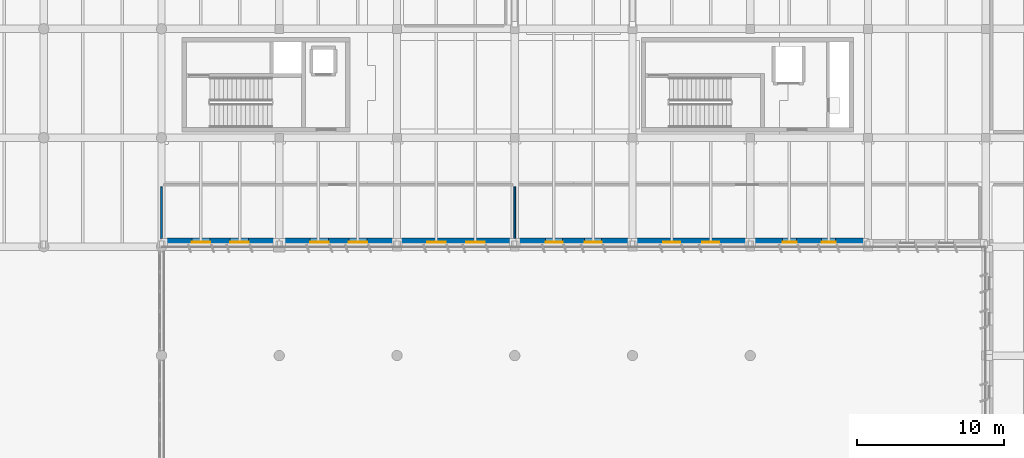
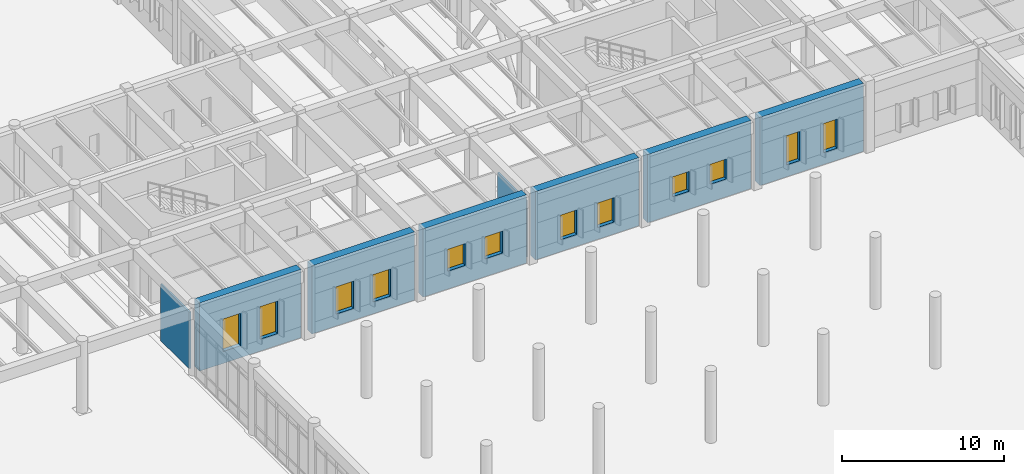
# One storey, part 20 of 56: 12 windows, 8 walls, 12 openings.
"""IFC4 building model written with IfcOpenShell, lengths in metres."""

from ifc_helpers import new_model, si_unit, direction, frame, frame_2d, origin, place, context, subcontext, project, spatial, rectangle, extrude, material, layer, layer_set, type_object, element, fill, save


model = new_model("IFC4")

# Units and contexts
model_context = context("Model", 3, precision=1e-05, world=origin(), true_north=direction((0.0, 1.0)))
body_context = subcontext(model_context, "Body", "Model", "MODEL_VIEW")
ifc_project = project(units=[si_unit("LENGTHUNIT", "METRE"), si_unit("AREAUNIT", "SQUARE_METRE"), si_unit("VOLUMEUNIT", "CUBIC_METRE"), si_unit("PLANEANGLEUNIT", "RADIAN"), si_unit("MASSUNIT", "GRAM", prefix="KILO")], contexts=[model_context])

# Site, building, storey
site_placement = place(None, origin())
site = spatial("IfcSite", under=ifc_project, at=site_placement, CompositionType="ELEMENT")
building_placement = place(site_placement, origin())
building = spatial("IfcBuilding", under=site, at=building_placement, Name="Valkorina Park Police Headquarters", CompositionType="ELEMENT")
storey_placement = place(building_placement, origin())
storey = spatial("IfcBuildingStorey", under=building, at=storey_placement, Name="L01", CompositionType="ELEMENT", Elevation=0.0)

# Wall, openings, windows
ifc_material_1 = material(Name="Concrete C35/45", Category="concrete")
ifc_layer_1 = layer(ifc_material_1, 0.580078125)
ifc_layer_set_1 = layer_set([ifc_layer_1], Name="Concrete C35/45")
wall_type_1 = type_object("IfcWallType", Name="WL-EXT-BOARD-580", PredefinedType="STANDARD", material=ifc_layer_set_1)
wall_1_placement = place(storey_placement, frame((128.489990234375, 59.489990234375, 0.0), z_axis=(0.0, 0.0, 1.0), x_axis=(-1.0, 0.0, 0.0)))
wall_1 = element("IfcWall", 1, at=wall_1_placement, inside=storey, type_object=wall_type_1, Name="L01 Architectural Concrete Exterior Wall 0077", PredefinedType="STANDARD", context=body_context, shape_type="SweptSolid", body=[
    extrude(rectangle(XDim=7.3798828125, YDim=0.580078125, at=frame_2d((3.68994140625, 0.0))), origin(), (0.0, 0.0, 1.0), 5.139892578125),
])
opening_1_placement = place(wall_1_placement, frame((1.88671875, 0.0, 0.89990234375)))
opening_1 = element("IfcOpeningElement", 2, at=opening_1_placement, cuts=wall_1, Name="Opening WN-18", PredefinedType="OPENING", context=body_context, shape_type="SweptSolid", body=[
    extrude(rectangle(XDim=0.949951171875, YDim=2.199951171875, at=frame_2d((0.47509765625, 1.10009765625))), frame((0.0, 0.300048828125, 0.0), z_axis=(0.0, -1.0, 0.0), x_axis=(1.0, 0.0, 0.0)), (0.0, 0.0, 1.0), 0.60009765625),
])
opening_2_placement = place(wall_1_placement, frame((4.54345703125, 0.0, 0.89990234375)))
opening_2 = element("IfcOpeningElement", 3, at=opening_2_placement, cuts=wall_1, Name="Opening WN-18", PredefinedType="OPENING", context=body_context, shape_type="SweptSolid", body=[
    extrude(rectangle(XDim=0.949951171875, YDim=2.199951171875, at=frame_2d((0.47509765625, 1.10009765625))), frame((0.0, 0.300048828125, 0.0), z_axis=(0.0, -1.0, 0.0), x_axis=(1.0, 0.0, 0.0)), (0.0, 0.0, 1.0), 0.60009765625),
])
ifc_material_2 = material(Name="Triple low-E insulated glazing", Category="glass")
ifc_layer_2 = layer(ifc_material_2, 0.06005859375)
ifc_layer_set_2 = layer_set([ifc_layer_2], Name="Triple low-E insulated glazing")
window_type_1 = type_object("IfcWindowType", Name="WN-SLOT-950x2200", PartitioningType="SINGLE_PANEL", PredefinedType="WINDOW", material=ifc_layer_set_2)
window_1_placement = place(opening_1_placement, origin())
window_1 = element("IfcWindow", 4, at=window_1_placement, inside=storey, type_object=window_type_1, Name="Window L01-0121", OverallHeight=2.199951171875, OverallWidth=0.949951171875, PartitioningType="SINGLE_PANEL", PredefinedType="WINDOW", context=body_context, shape_type="SweptSolid", body=[
    extrude(rectangle(XDim=0.949951171875, YDim=2.199951171875, at=frame_2d((0.47509765625, 1.10009765625))), frame((0.0, 0.030029296875, 0.0), z_axis=(0.0, -1.0, 0.0), x_axis=(1.0, 0.0, 0.0)), (0.0, 0.0, 1.0), 0.06005859375),
])
fill(opening_1, window_1)
window_2_placement = place(opening_2_placement, origin())
window_2 = element("IfcWindow", 5, at=window_2_placement, inside=storey, type_object=window_type_1, Name="Window L01-0122", OverallHeight=2.199951171875, OverallWidth=0.949951171875, PartitioningType="SINGLE_PANEL", PredefinedType="WINDOW", context=body_context, shape_type="SweptSolid", body=[
    extrude(rectangle(XDim=0.949951171875, YDim=2.199951171875, at=frame_2d((0.47509765625, 1.10009765625))), frame((0.0, 0.030029296875, 0.0), z_axis=(0.0, -1.0, 0.0), x_axis=(1.0, 0.0, 0.0)), (0.0, 0.0, 1.0), 0.06005859375),
])
fill(opening_2, window_2)

wall_2_placement = place(storey_placement, frame((120.489990234375, 59.489990234375, 0.0), z_axis=(0.0, 0.0, 1.0), x_axis=(-1.0, 0.0, 0.0)))
wall_2 = element("IfcWall", 6, at=wall_2_placement, inside=storey, type_object=wall_type_1, Name="L01 Architectural Concrete Exterior Wall 0078", PredefinedType="STANDARD", context=body_context, shape_type="SweptSolid", body=[
    extrude(rectangle(XDim=7.3798828125, YDim=0.580078125, at=frame_2d((3.68994140625, 0.0))), origin(), (0.0, 0.0, 1.0), 5.139892578125),
])
opening_3_placement = place(wall_2_placement, frame((1.78662109375, 0.0, 1.35009765625)))
opening_3 = element("IfcOpeningElement", 7, at=opening_3_placement, cuts=wall_2, Name="Opening WN-19", PredefinedType="OPENING", context=body_context, shape_type="SweptSolid", body=[
    extrude(rectangle(XDim=1.14990234375, YDim=1.5, at=frame_2d((0.574951171875, 0.75))), frame((0.0, 0.300048828125, 0.0), z_axis=(0.0, -1.0, 0.0), x_axis=(1.0, 0.0, 0.0)), (0.0, 0.0, 1.0), 0.60009765625),
])
opening_4_placement = place(wall_2_placement, frame((4.443359375, 0.0, 1.35009765625)))
opening_4 = element("IfcOpeningElement", 8, at=opening_4_placement, cuts=wall_2, Name="Opening WN-19", PredefinedType="OPENING", context=body_context, shape_type="SweptSolid", body=[
    extrude(rectangle(XDim=1.14990234375, YDim=1.5, at=frame_2d((0.574951171875, 0.75))), frame((0.0, 0.300048828125, 0.0), z_axis=(0.0, -1.0, 0.0), x_axis=(1.0, 0.0, 0.0)), (0.0, 0.0, 1.0), 0.60009765625),
])
ifc_layer_3 = layer(ifc_material_2, 0.06005859375)
ifc_layer_set_3 = layer_set([ifc_layer_3], Name="Triple low-E insulated glazing")
window_type_2 = type_object("IfcWindowType", Name="WN-LAB-1150x1500", PartitioningType="SINGLE_PANEL", PredefinedType="WINDOW", material=ifc_layer_set_3)
window_3_placement = place(opening_3_placement, origin())
window_3 = element("IfcWindow", 9, at=window_3_placement, inside=storey, type_object=window_type_2, Name="Window L01-0123", OverallHeight=1.5, OverallWidth=1.14990234375, PartitioningType="SINGLE_PANEL", PredefinedType="WINDOW", context=body_context, shape_type="SweptSolid", body=[
    extrude(rectangle(XDim=1.14990234375, YDim=1.5, at=frame_2d((0.574951171875, 0.75))), frame((0.0, 0.030029296875, 0.0), z_axis=(0.0, -1.0, 0.0), x_axis=(1.0, 0.0, 0.0)), (0.0, 0.0, 1.0), 0.06005859375),
])
fill(opening_3, window_3)
window_4_placement = place(opening_4_placement, origin())
window_4 = element("IfcWindow", 10, at=window_4_placement, inside=storey, type_object=window_type_2, Name="Window L01-0124", OverallHeight=1.5, OverallWidth=1.14990234375, PartitioningType="SINGLE_PANEL", PredefinedType="WINDOW", context=body_context, shape_type="SweptSolid", body=[
    extrude(rectangle(XDim=1.14990234375, YDim=1.5, at=frame_2d((0.574951171875, 0.75))), frame((0.0, 0.030029296875, 0.0), z_axis=(0.0, -1.0, 0.0), x_axis=(1.0, 0.0, 0.0)), (0.0, 0.0, 1.0), 0.06005859375),
])
fill(opening_4, window_4)

wall_3_placement = place(storey_placement, frame((112.489990234375, 59.489990234375, 0.0), z_axis=(0.0, 0.0, 1.0), x_axis=(-1.0, 0.0, 0.0)))
wall_3 = element("IfcWall", 11, at=wall_3_placement, inside=storey, type_object=wall_type_1, Name="L01 Architectural Concrete Exterior Wall 0079", PredefinedType="STANDARD", context=body_context, shape_type="SweptSolid", body=[
    extrude(rectangle(XDim=7.3798828125, YDim=0.580078125, at=frame_2d((3.68994140625, 0.0))), origin(), (0.0, 0.0, 1.0), 5.139892578125),
])
opening_5_placement = place(wall_3_placement, frame((1.78662109375, 0.0, 0.89990234375)))
opening_5 = element("IfcOpeningElement", 12, at=opening_5_placement, cuts=wall_3, Name="Opening WN-20", PredefinedType="OPENING", context=body_context, shape_type="SweptSolid", body=[
    extrude(rectangle(XDim=1.14990234375, YDim=1.85009765625, at=frame_2d((0.574951171875, 0.925048828125))), frame((0.0, 0.300048828125, 0.0), z_axis=(0.0, -1.0, 0.0), x_axis=(1.0, 0.0, 0.0)), (0.0, 0.0, 1.0), 0.60009765625),
])
opening_6_placement = place(wall_3_placement, frame((4.443359375, 0.0, 0.89990234375)))
opening_6 = element("IfcOpeningElement", 13, at=opening_6_placement, cuts=wall_3, Name="Opening WN-20", PredefinedType="OPENING", context=body_context, shape_type="SweptSolid", body=[
    extrude(rectangle(XDim=1.14990234375, YDim=1.85009765625, at=frame_2d((0.574951171875, 0.925048828125))), frame((0.0, 0.300048828125, 0.0), z_axis=(0.0, -1.0, 0.0), x_axis=(1.0, 0.0, 0.0)), (0.0, 0.0, 1.0), 0.60009765625),
])
ifc_layer_4 = layer(ifc_material_2, 0.06005859375)
ifc_layer_set_4 = layer_set([ifc_layer_4], Name="Triple low-E insulated glazing")
window_type_3 = type_object("IfcWindowType", Name="WN-LAB-1150x1850", PartitioningType="SINGLE_PANEL", PredefinedType="WINDOW", material=ifc_layer_set_4)
window_5_placement = place(opening_5_placement, origin())
window_5 = element("IfcWindow", 14, at=window_5_placement, inside=storey, type_object=window_type_3, Name="Window L01-0125", OverallHeight=1.85009765625, OverallWidth=1.14990234375, PartitioningType="SINGLE_PANEL", PredefinedType="WINDOW", context=body_context, shape_type="SweptSolid", body=[
    extrude(rectangle(XDim=1.14990234375, YDim=1.85009765625, at=frame_2d((0.574951171875, 0.925048828125))), frame((0.0, 0.030029296875, 0.0), z_axis=(0.0, -1.0, 0.0), x_axis=(1.0, 0.0, 0.0)), (0.0, 0.0, 1.0), 0.06005859375),
])
fill(opening_5, window_5)
window_6_placement = place(opening_6_placement, origin())
window_6 = element("IfcWindow", 15, at=window_6_placement, inside=storey, type_object=window_type_3, Name="Window L01-0126", OverallHeight=1.85009765625, OverallWidth=1.14990234375, PartitioningType="SINGLE_PANEL", PredefinedType="WINDOW", context=body_context, shape_type="SweptSolid", body=[
    extrude(rectangle(XDim=1.14990234375, YDim=1.85009765625, at=frame_2d((0.574951171875, 0.925048828125))), frame((0.0, 0.030029296875, 0.0), z_axis=(0.0, -1.0, 0.0), x_axis=(1.0, 0.0, 0.0)), (0.0, 0.0, 1.0), 0.06005859375),
])
fill(opening_6, window_6)

wall_4_placement = place(storey_placement, frame((104.489990234375, 59.489990234375, 0.0), z_axis=(0.0, 0.0, 1.0), x_axis=(-1.0, 0.0, 0.0)))
wall_4 = element("IfcWall", 16, at=wall_4_placement, inside=storey, type_object=wall_type_1, Name="L01 Architectural Concrete Exterior Wall 0080", PredefinedType="STANDARD", context=body_context, shape_type="SweptSolid", body=[
    extrude(rectangle(XDim=7.3798828125, YDim=0.580078125, at=frame_2d((3.68994140625, 0.0))), origin(), (0.0, 0.0, 1.0), 5.139892578125),
])
opening_7_placement = place(wall_4_placement, frame((1.736572265625, 0.0, 1.35009765625)))
opening_7 = element("IfcOpeningElement", 17, at=opening_7_placement, cuts=wall_4, Name="Opening WN-21", PredefinedType="OPENING", context=body_context, shape_type="SweptSolid", body=[
    extrude(rectangle(XDim=1.25, YDim=1.64990234375, at=frame_2d((0.625, 0.824951171875))), frame((0.0, 0.300048828125, 0.0), z_axis=(0.0, -1.0, 0.0), x_axis=(1.0, 0.0, 0.0)), (0.0, 0.0, 1.0), 0.60009765625),
])
opening_8_placement = place(wall_4_placement, frame((4.393310546875, 0.0, 1.35009765625)))
opening_8 = element("IfcOpeningElement", 18, at=opening_8_placement, cuts=wall_4, Name="Opening WN-21", PredefinedType="OPENING", context=body_context, shape_type="SweptSolid", body=[
    extrude(rectangle(XDim=1.25, YDim=1.64990234375, at=frame_2d((0.625, 0.824951171875))), frame((0.0, 0.300048828125, 0.0), z_axis=(0.0, -1.0, 0.0), x_axis=(1.0, 0.0, 0.0)), (0.0, 0.0, 1.0), 0.60009765625),
])
ifc_layer_5 = layer(ifc_material_2, 0.06005859375)
ifc_layer_set_5 = layer_set([ifc_layer_5], Name="Triple low-E insulated glazing")
window_type_4 = type_object("IfcWindowType", Name="WN-LAB-1250x1650", PartitioningType="SINGLE_PANEL", PredefinedType="WINDOW", material=ifc_layer_set_5)
window_7_placement = place(opening_7_placement, origin())
window_7 = element("IfcWindow", 19, at=window_7_placement, inside=storey, type_object=window_type_4, Name="Window L01-0127", OverallHeight=1.64990234375, OverallWidth=1.25, PartitioningType="SINGLE_PANEL", PredefinedType="WINDOW", context=body_context, shape_type="SweptSolid", body=[
    extrude(rectangle(XDim=1.25, YDim=1.64990234375, at=frame_2d((0.625, 0.824951171875))), frame((0.0, 0.030029296875, 0.0), z_axis=(0.0, -1.0, 0.0), x_axis=(1.0, 0.0, 0.0)), (0.0, 0.0, 1.0), 0.06005859375),
])
fill(opening_7, window_7)
window_8_placement = place(opening_8_placement, origin())
window_8 = element("IfcWindow", 20, at=window_8_placement, inside=storey, type_object=window_type_4, Name="Window L01-0128", OverallHeight=1.64990234375, OverallWidth=1.25, PartitioningType="SINGLE_PANEL", PredefinedType="WINDOW", context=body_context, shape_type="SweptSolid", body=[
    extrude(rectangle(XDim=1.25, YDim=1.64990234375, at=frame_2d((0.625, 0.824951171875))), frame((0.0, 0.030029296875, 0.0), z_axis=(0.0, -1.0, 0.0), x_axis=(1.0, 0.0, 0.0)), (0.0, 0.0, 1.0), 0.06005859375),
])
fill(opening_8, window_8)

wall_5_placement = place(storey_placement, frame((96.489990234375, 59.489990234375, 0.0), z_axis=(0.0, 0.0, 1.0), x_axis=(-1.0, 0.0, 0.0)))
wall_5 = element("IfcWall", 21, at=wall_5_placement, inside=storey, type_object=wall_type_1, Name="L01 Architectural Concrete Exterior Wall 0081", PredefinedType="STANDARD", context=body_context, shape_type="SweptSolid", body=[
    extrude(rectangle(XDim=7.304931640625, YDim=0.580078125, at=frame_2d((3.65234375, 0.0))), origin(), (0.0, 0.0, 1.0), 5.139892578125),
])
opening_9_placement = place(wall_5_placement, frame((1.712646484375, 0.0, 0.89990234375)))
opening_9 = element("IfcOpeningElement", 22, at=opening_9_placement, cuts=wall_5, Name="Opening WN-22", PredefinedType="OPENING", context=body_context, shape_type="SweptSolid", body=[
    extrude(rectangle(XDim=1.25, YDim=2.050048828125, at=frame_2d((0.625, 1.02490234375))), frame((0.0, 0.300048828125, 0.0), z_axis=(0.0, -1.0, 0.0), x_axis=(1.0, 0.0, 0.0)), (0.0, 0.0, 1.0), 0.60009765625),
])
opening_10_placement = place(wall_5_placement, frame((4.34228515625, 0.0, 0.89990234375)))
opening_10 = element("IfcOpeningElement", 23, at=opening_10_placement, cuts=wall_5, Name="Opening WN-22", PredefinedType="OPENING", context=body_context, shape_type="SweptSolid", body=[
    extrude(rectangle(XDim=1.25, YDim=2.050048828125, at=frame_2d((0.625, 1.02490234375))), frame((0.0, 0.300048828125, 0.0), z_axis=(0.0, -1.0, 0.0), x_axis=(1.0, 0.0, 0.0)), (0.0, 0.0, 1.0), 0.60009765625),
])
ifc_layer_6 = layer(ifc_material_2, 0.06005859375)
ifc_layer_set_6 = layer_set([ifc_layer_6], Name="Triple low-E insulated glazing")
window_type_5 = type_object("IfcWindowType", Name="WN-LAB-1250x2050", PartitioningType="SINGLE_PANEL", PredefinedType="WINDOW", material=ifc_layer_set_6)
window_9_placement = place(opening_9_placement, origin())
window_9 = element("IfcWindow", 24, at=window_9_placement, inside=storey, type_object=window_type_5, Name="Window L01-0129", OverallHeight=2.050048828125, OverallWidth=1.25, PartitioningType="SINGLE_PANEL", PredefinedType="WINDOW", context=body_context, shape_type="SweptSolid", body=[
    extrude(rectangle(XDim=1.25, YDim=2.050048828125, at=frame_2d((0.625, 1.02490234375))), frame((0.0, 0.030029296875, 0.0), z_axis=(0.0, -1.0, 0.0), x_axis=(1.0, 0.0, 0.0)), (0.0, 0.0, 1.0), 0.06005859375),
])
fill(opening_9, window_9)
window_10_placement = place(opening_10_placement, origin())
window_10 = element("IfcWindow", 25, at=window_10_placement, inside=storey, type_object=window_type_5, Name="Window L01-0130", OverallHeight=2.050048828125, OverallWidth=1.25, PartitioningType="SINGLE_PANEL", PredefinedType="WINDOW", context=body_context, shape_type="SweptSolid", body=[
    extrude(rectangle(XDim=1.25, YDim=2.050048828125, at=frame_2d((0.625, 1.02490234375))), frame((0.0, 0.030029296875, 0.0), z_axis=(0.0, -1.0, 0.0), x_axis=(1.0, 0.0, 0.0)), (0.0, 0.0, 1.0), 0.06005859375),
])
fill(opening_10, window_10)

wall_6_placement = place(storey_placement, frame((88.4150390625, 59.489990234375, 0.0), z_axis=(0.0, 0.0, 1.0), x_axis=(-1.0, 0.0, 0.0)))
wall_6 = element("IfcWall", 26, at=wall_6_placement, inside=storey, type_object=wall_type_1, Name="L01 Architectural Concrete Exterior Wall 0082", PredefinedType="STANDARD", context=body_context, shape_type="SweptSolid", body=[
    extrude(rectangle(XDim=7.255126953125, YDim=0.580078125, at=frame_2d((3.62744140625, 0.0))), origin(), (0.0, 0.0, 1.0), 5.139892578125),
])
opening_11_placement = place(wall_6_placement, frame((1.696533203125, 0.0, 0.89990234375)))
opening_11 = element("IfcOpeningElement", 27, at=opening_11_placement, cuts=wall_6, Name="Opening WN-23", PredefinedType="OPENING", context=body_context, shape_type="SweptSolid", body=[
    extrude(rectangle(XDim=1.25, YDim=2.449951171875, at=frame_2d((0.625, 1.22509765625))), frame((0.0, 0.300048828125, 0.0), z_axis=(0.0, -1.0, 0.0), x_axis=(1.0, 0.0, 0.0)), (0.0, 0.0, 1.0), 0.60009765625),
])
opening_12_placement = place(wall_6_placement, frame((4.308349609375, 0.0, 0.89990234375)))
opening_12 = element("IfcOpeningElement", 28, at=opening_12_placement, cuts=wall_6, Name="Opening WN-23", PredefinedType="OPENING", context=body_context, shape_type="SweptSolid", body=[
    extrude(rectangle(XDim=1.25, YDim=2.449951171875, at=frame_2d((0.625, 1.22509765625))), frame((0.0, 0.300048828125, 0.0), z_axis=(0.0, -1.0, 0.0), x_axis=(1.0, 0.0, 0.0)), (0.0, 0.0, 1.0), 0.60009765625),
])
ifc_layer_7 = layer(ifc_material_2, 0.06005859375)
ifc_layer_set_7 = layer_set([ifc_layer_7], Name="Triple low-E insulated glazing")
window_type_6 = type_object("IfcWindowType", Name="WN-LAB-1250x2450", PartitioningType="SINGLE_PANEL", PredefinedType="WINDOW", material=ifc_layer_set_7)
window_11_placement = place(opening_11_placement, origin())
window_11 = element("IfcWindow", 29, at=window_11_placement, inside=storey, type_object=window_type_6, Name="Window L01-0131", OverallHeight=2.449951171875, OverallWidth=1.25, PartitioningType="SINGLE_PANEL", PredefinedType="WINDOW", context=body_context, shape_type="SweptSolid", body=[
    extrude(rectangle(XDim=1.25, YDim=2.449951171875, at=frame_2d((0.625, 1.22509765625))), frame((0.0, 0.030029296875, 0.0), z_axis=(0.0, -1.0, 0.0), x_axis=(1.0, 0.0, 0.0)), (0.0, 0.0, 1.0), 0.06005859375),
])
fill(opening_11, window_11)
window_12_placement = place(opening_12_placement, origin())
window_12 = element("IfcWindow", 30, at=window_12_placement, inside=storey, type_object=window_type_6, Name="Window L01-0132", OverallHeight=2.449951171875, OverallWidth=1.25, PartitioningType="SINGLE_PANEL", PredefinedType="WINDOW", context=body_context, shape_type="SweptSolid", body=[
    extrude(rectangle(XDim=1.25, YDim=2.449951171875, at=frame_2d((0.625, 1.22509765625))), frame((0.0, 0.030029296875, 0.0), z_axis=(0.0, -1.0, 0.0), x_axis=(1.0, 0.0, 0.0)), (0.0, 0.0, 1.0), 0.06005859375),
])
fill(opening_12, window_12)

# Walls
ifc_material_3 = material(Name="Gypsum plasterboard")
ifc_layer_8 = layer(ifc_material_3, 0.125)
ifc_layer_set_8 = layer_set([ifc_layer_8], Name="Gypsum plasterboard")
wall_type_2 = type_object("IfcWallType", Name="WL-PART-125-EI30", PredefinedType="PARTITIONING", material=ifc_layer_set_8)
for number, where, z_axis, x_axis, name in (
    (31, (80.800048828125, 59.739990234375, 0.0), (0.0, 0.0, 1.0), (0.0, 1.0, 0.0), "L01 Interior Partition 0085 (L01-CMD-01)"),
    (32, (104.800048828125, 59.739990234375, 0.0), (0.0, 0.0, 1.0), (0.0, 1.0, 0.0), "L01 Interior Partition 0086 (L01-CMD-01)"),
):
    element("IfcWall", number, at=place(storey_placement, frame(where, z_axis=z_axis, x_axis=x_axis)), inside=storey, type_object=wall_type_2, Name=name, PredefinedType="PARTITIONING", context=body_context, shape_type="SweptSolid", body=[
        extrude(rectangle(XDim=3.52001953125, YDim=0.125, at=frame_2d((1.760009765625, 0.0))), origin(), (0.0, 0.0, 1.0), 4.27001953125),
    ])

save(model, "model.ifc")
